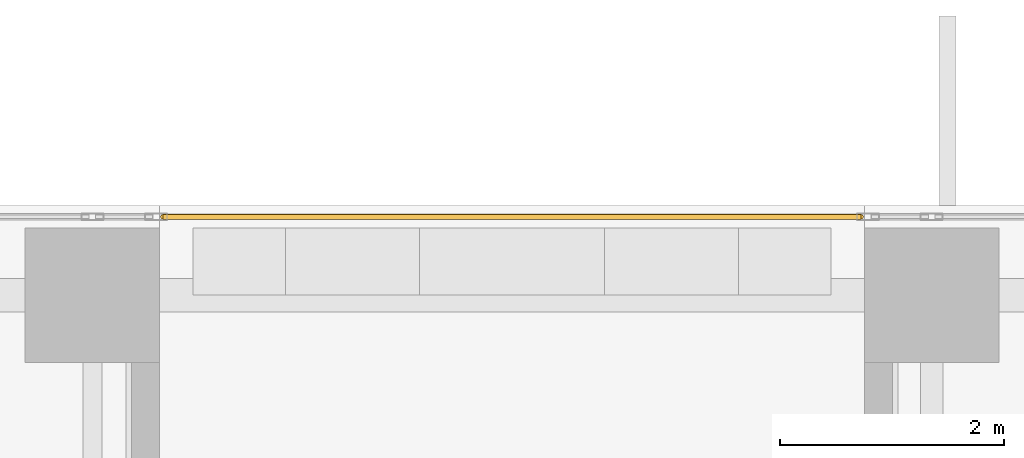
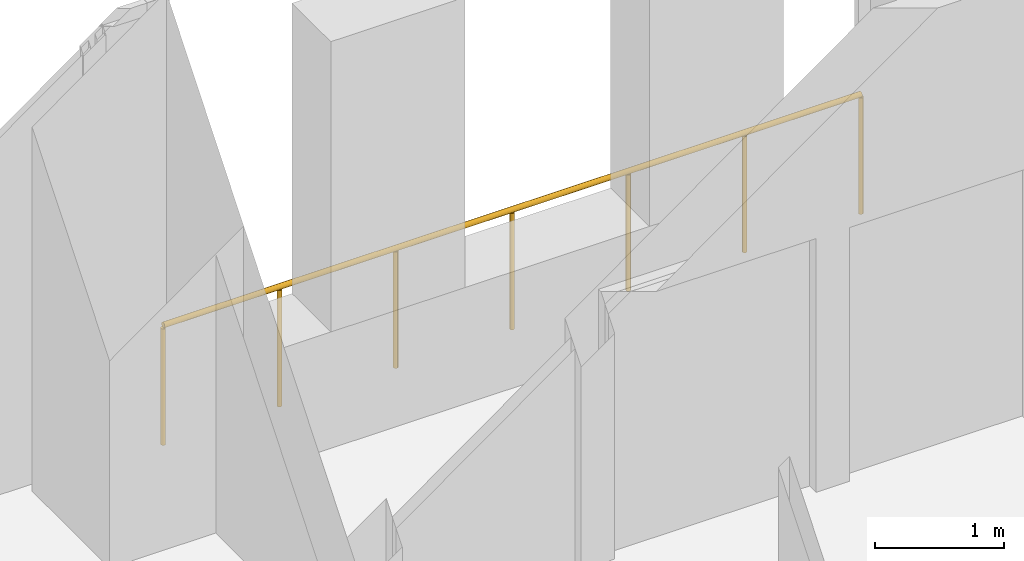
# One storey, part 32 of 33: 1 railing.
"""IFC4 building model written with IfcOpenShell, lengths in metres."""

from ifc_helpers import new_model, si_unit, direction, frame, origin, origin_2d, place, context, subcontext, project, spatial, circle, extrude, source, transform, mapped, material, type_object, element, save


model = new_model("IFC4")

# Units and contexts
model_context = context("Model", 3, precision=1e-05, world=origin(), true_north=direction((0.0, 1.0)))
body_context = subcontext(model_context, "Body", "Model", "MODEL_VIEW")
ifc_project = project(units=[si_unit("LENGTHUNIT", "METRE"), si_unit("AREAUNIT", "SQUARE_METRE"), si_unit("VOLUMEUNIT", "CUBIC_METRE"), si_unit("PLANEANGLEUNIT", "RADIAN"), si_unit("MASSUNIT", "GRAM", prefix="KILO")], contexts=[model_context])

# Site, building, storey
site_placement = place(None, origin())
site = spatial("IfcSite", under=ifc_project, at=site_placement, CompositionType="ELEMENT")
building_placement = place(site_placement, origin())
building = spatial("IfcBuilding", under=site, at=building_placement, Name="Khomas Fold Tower", CompositionType="ELEMENT")
storey_placement = place(building_placement, frame((0.0, 0.0, 91.5)))
storey = spatial("IfcBuildingStorey", under=building, at=storey_placement, Name="L19", CompositionType="ELEMENT", Elevation=91.5)

# Railing
ifc_material = material(Name="Powder-coated steel", Category="steel")
railing_type = type_object("IfcRailingType", Name="Balcony guard", PredefinedType="GUARDRAIL", material=ifc_material)
shared_shape = source(origin(), body_context, "Body", "SweptSolid", [
    extrude(circle(Radius=0.02490234375, at=origin_2d()), frame((0.0, 0.0, 1.125), z_axis=(1.0, 0.0, 0.0), x_axis=(0.0, 1.0, 0.0)), (0.0, 0.0, 1.0), 6.240234375),
    extrude(circle(Radius=0.02001953125, at=origin_2d()), origin(), (0.0, 0.0, 1.0), 1.099853515625),
    extrude(circle(Radius=0.02001953125, at=origin_2d()), frame((1.0400390625, 0.0, 0.0)), (0.0, 0.0, 1.0), 1.099853515625),
    extrude(circle(Radius=0.02001953125, at=origin_2d()), frame((2.080078125, 0.0, 0.0)), (0.0, 0.0, 1.0), 1.099853515625),
    extrude(circle(Radius=0.02001953125, at=origin_2d()), frame((3.1201171875, 0.0, 0.0)), (0.0, 0.0, 1.0), 1.099853515625),
    extrude(circle(Radius=0.02001953125, at=origin_2d()), frame((4.16015625, 0.0, 0.0)), (0.0, 0.0, 1.0), 1.099853515625),
    extrude(circle(Radius=0.02001953125, at=origin_2d()), frame((5.2001953125, 0.0, 0.0)), (0.0, 0.0, 1.0), 1.099853515625),
    extrude(circle(Radius=0.02001953125, at=origin_2d()), frame((6.240234375, 0.0, 0.0)), (0.0, 0.0, 1.0), 1.099853515625),
])
railing_placement = place(storey_placement, frame((27.6298828125, 53.89990234375, -0.044921875)))
element("IfcRailing", 1, at=railing_placement, inside=storey, type_object=railing_type, Name="Balcony guard BAL-L19-N3", PredefinedType="GUARDRAIL", context=body_context, shape_type="MappedRepresentation", body=[
    mapped(shared_shape, transform((0.0, 0.0, 0.0))),
])

save(model, "model.ifc")
